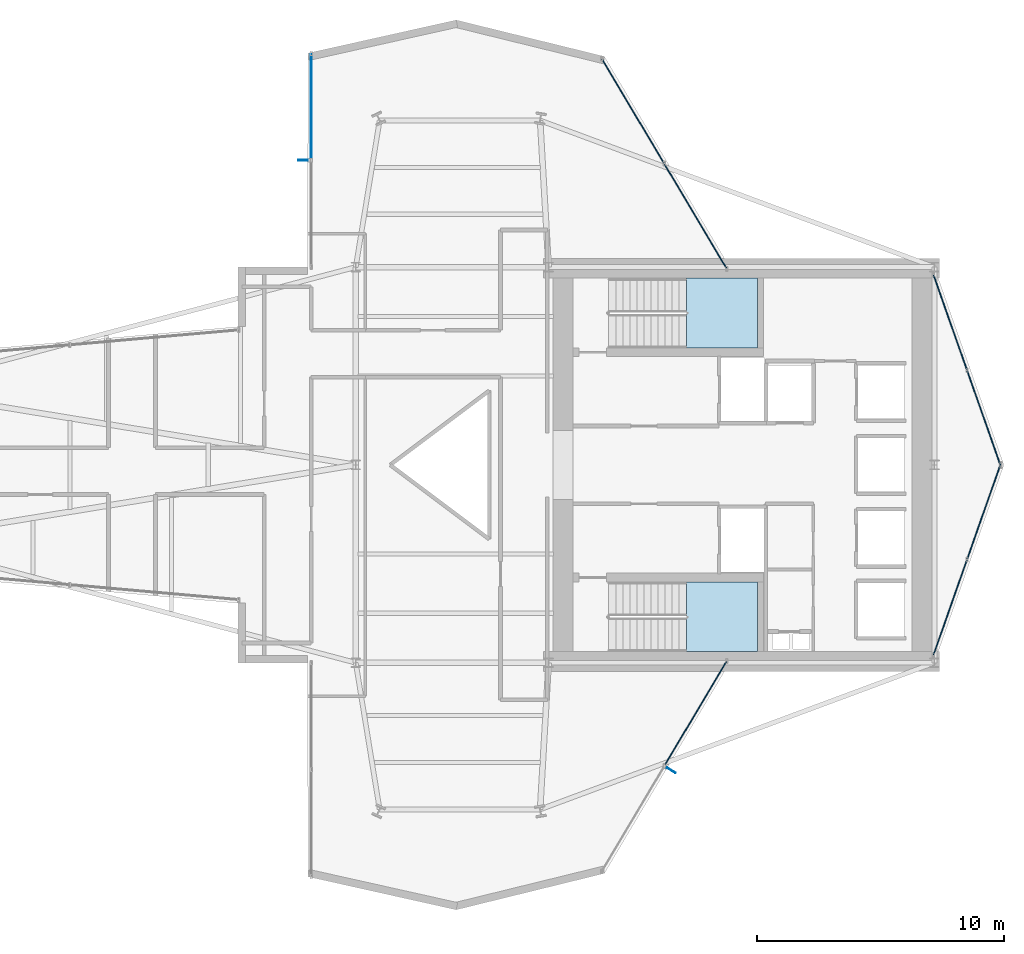
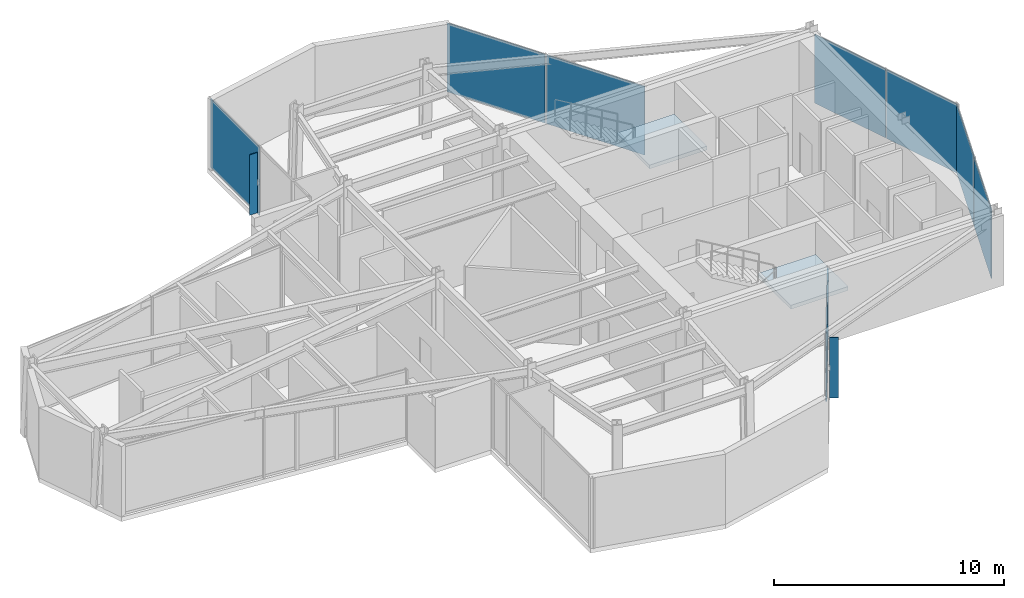
# One storey, part 19 of 23: 10 plates, 2 slabs, 7 elements without a shape of their own.
"""IFC4 building model written with IfcOpenShell, lengths in metres."""

from ifc_helpers import new_model, si_unit, direction, frame, origin, origin_2d, place, context, subcontext, project, spatial, polyline, rectangle, outline, extrude, material, layer, layer_set, type_object, element, aggregate, save


model = new_model("IFC4")

# Units and contexts
model_context = context("Model", 3, precision=1e-05, world=origin(), true_north=direction((0.0, 1.0)))
body_context = subcontext(model_context, "Body", "Model", "MODEL_VIEW")
ifc_project = project(units=[si_unit("LENGTHUNIT", "METRE"), si_unit("AREAUNIT", "SQUARE_METRE"), si_unit("VOLUMEUNIT", "CUBIC_METRE"), si_unit("PLANEANGLEUNIT", "RADIAN"), si_unit("MASSUNIT", "GRAM", prefix="KILO")], contexts=[model_context])

# Site, building, storey
site_placement = place(None, origin())
site = spatial("IfcSite", under=ifc_project, at=site_placement, CompositionType="ELEMENT")
building_placement = place(site_placement, origin())
building = spatial("IfcBuilding", under=site, at=building_placement, Name="Veymaron Broadcast Tower", CompositionType="ELEMENT")
storey_placement = place(building_placement, frame((0.0, 0.0, 177.60009765625)))
storey = spatial("IfcBuildingStorey", under=building, at=storey_placement, Name="L41", CompositionType="ELEMENT", Elevation=177.60009765625)

# Curtain wall, plates
ifc_material_1 = material(Name="Anodised aluminium AA 6063-T6 and laminated low-E dark glass", Category="aluminium")
ifc_layer_1 = layer(ifc_material_1, 0.179931640625)
ifc_layer_set_1 = layer_set([ifc_layer_1], Name="Anodised aluminium AA 6063-T6 and laminated low-E dark glass")
curtain_wall_type = type_object("IfcCurtainWallType", Name="CW-SYS-03", PredefinedType="NOTDEFINED", material=ifc_layer_set_1)
curtain_wall_1_placement = place(storey_placement, origin())
curtain_wall_1 = element("IfcCurtainWall", 1, at=curtain_wall_1_placement, inside=storey, type_object=curtain_wall_type, Name="L41 dark-glass curtain wall CW-L41-E2-1", PredefinedType="NOTDEFINED")
ifc_material_2 = material(Name="Insulated dark-anodised aluminium spandrel panel 40 mm", Category="aluminium")
ifc_layer_2 = layer(ifc_material_2, 0.0400390625)
ifc_layer_set_2 = layer_set([ifc_layer_2], Name="Insulated dark-anodised aluminium spandrel panel 40 mm")
plate_type_1 = type_object("IfcPlateType", Name="CW-PNL-03", PredefinedType="CURTAIN_PANEL", material=ifc_layer_set_2)
plate_1_placement = place(storey_placement, frame((55.23779296875, 18.235107421875, 0.0400390625), z_axis=(0.0, 0.0, 1.0), x_axis=(0.331831864835, 0.943338546589, 0.0)))
plate_1 = element("IfcPlate", 2, at=plate_1_placement, type_object=plate_type_1, Name="CW-L41-E2-1 unitised curtain panel 0", PredefinedType="CURTAIN_PANEL", context=body_context, shape_type="SweptSolid", body=[
    extrude(rectangle(XDim=4.047119140625, YDim=0.0400390625, at=origin_2d()), origin(), (0.0, 0.0, 1.0), 3.64990234375),
])
plate_2_placement = place(storey_placement, frame((56.6005859375, 22.109375, 0.0400390625), z_axis=(0.0, 0.0, 1.0), x_axis=(0.331831864835, 0.943338546589, 0.0)))
plate_2 = element("IfcPlate", 3, at=plate_2_placement, type_object=plate_type_1, Name="CW-L41-E2-1 unitised curtain panel 1", PredefinedType="CURTAIN_PANEL", context=body_context, shape_type="SweptSolid", body=[
    extrude(rectangle(XDim=4.047119140625, YDim=0.0400390625, at=origin_2d()), origin(), (0.0, 0.0, 1.0), 3.64990234375),
])
aggregate(curtain_wall_1, [plate_1, plate_2])

curtain_wall_2_placement = place(storey_placement, origin())
curtain_wall_2 = element("IfcCurtainWall", 4, at=curtain_wall_2_placement, inside=storey, type_object=curtain_wall_type, Name="L41 dark-glass curtain wall CW-L41-E3-1", PredefinedType="NOTDEFINED")
plate_3_placement = place(storey_placement, frame((56.6005859375, 25.890625, 0.0400390625), z_axis=(0.0, 0.0, 1.0), x_axis=(-0.331831864835, 0.943338546589, 0.0)))
plate_3 = element("IfcPlate", 5, at=plate_3_placement, type_object=plate_type_1, Name="CW-L41-E3-1 unitised curtain panel 0", PredefinedType="CURTAIN_PANEL", context=body_context, shape_type="SweptSolid", body=[
    extrude(rectangle(XDim=4.047119140625, YDim=0.0400390625, at=origin_2d()), origin(), (0.0, 0.0, 1.0), 3.64990234375),
])
plate_4_placement = place(storey_placement, frame((55.23779296875, 29.764892578125, 0.0400390625), z_axis=(0.0, 0.0, 1.0), x_axis=(-0.331831864835, 0.943338546589, 0.0)))
plate_4 = element("IfcPlate", 6, at=plate_4_placement, type_object=plate_type_1, Name="CW-L41-E3-1 unitised curtain panel 1", PredefinedType="CURTAIN_PANEL", context=body_context, shape_type="SweptSolid", body=[
    extrude(rectangle(XDim=4.047119140625, YDim=0.0400390625, at=origin_2d()), origin(), (0.0, 0.0, 1.0), 3.64990234375),
])
aggregate(curtain_wall_2, [plate_3, plate_4])

curtain_wall_3_placement = place(storey_placement, origin())
curtain_wall_3 = element("IfcCurtainWall", 7, at=curtain_wall_3_placement, inside=storey, type_object=curtain_wall_type, Name="L41 dark-glass curtain wall CW-L41-E5-1", PredefinedType="NOTDEFINED")
plate_5_placement = place(storey_placement, frame((44.9384765625, 34.055419921875, 0.0400390625), z_axis=(0.0, 0.0, 1.0), x_axis=(-0.511263086823, 0.859424258473, 0.0)))
plate_5 = element("IfcPlate", 8, at=plate_5_placement, type_object=plate_type_1, Name="CW-L41-E5-1 unitised curtain panel 0", PredefinedType="CURTAIN_PANEL", context=body_context, shape_type="SweptSolid", body=[
    extrude(rectangle(XDim=4.889892578125, YDim=0.0400390625, at=origin_2d()), origin(), (0.0, 0.0, 1.0), 3.64990234375),
])
plate_6_placement = place(storey_placement, frame((42.40771484375, 38.309326171875, 0.0400390625), z_axis=(0.0, 0.0, 1.0), x_axis=(-0.511263086823, 0.859424258473, 0.0)))
plate_6 = element("IfcPlate", 9, at=plate_6_placement, type_object=plate_type_1, Name="CW-L41-E5-1 unitised curtain panel 1", PredefinedType="CURTAIN_PANEL", context=body_context, shape_type="SweptSolid", body=[
    extrude(rectangle(XDim=4.889892578125, YDim=0.0400390625, at=origin_2d()), origin(), (0.0, 0.0, 1.0), 3.64990234375),
])
aggregate(curtain_wall_3, [plate_5, plate_6])

# Curtain wall, plate
curtain_wall_4_placement = place(storey_placement, origin())
curtain_wall_4 = element("IfcCurtainWall", 10, at=curtain_wall_4_placement, inside=storey, type_object=curtain_wall_type, Name="L41 dark-glass curtain wall CW-L41-E8-1", PredefinedType="NOTDEFINED")
plate_7_placement = place(storey_placement, frame((29.400146484375, 38.4814453125, 0.0400390625), z_axis=(0.0, 0.0, 1.0), x_axis=(-0.000558505332, -0.999999844036, 0.0)))
plate_7 = element("IfcPlate", 11, at=plate_7_placement, type_object=plate_type_1, Name="CW-L41-E8-1 unitised curtain panel 0", PredefinedType="CURTAIN_PANEL", context=body_context, shape_type="SweptSolid", body=[
    extrude(rectangle(XDim=4.260986328125, YDim=0.0400390625, at=origin_2d()), origin(), (0.0, 0.0, 1.0), 3.64990234375),
])
aggregate(curtain_wall_4, [plate_7])

curtain_wall_5_placement = place(storey_placement, origin())
curtain_wall_5 = element("IfcCurtainWall", 12, at=curtain_wall_5_placement, inside=storey, type_object=curtain_wall_type, Name="L41 dark-glass curtain wall CW-L41-E20-1", PredefinedType="NOTDEFINED")
plate_8_placement = place(storey_placement, frame((44.9384765625, 13.944580078125, 0.0400390625), z_axis=(0.0, 0.0, 1.0), x_axis=(0.511263086823, 0.859424258473, 0.0)))
plate_8 = element("IfcPlate", 13, at=plate_8_placement, type_object=plate_type_1, Name="CW-L41-E20-1 unitised curtain panel 1", PredefinedType="CURTAIN_PANEL", context=body_context, shape_type="SweptSolid", body=[
    extrude(rectangle(XDim=4.889892578125, YDim=0.0400390625, at=origin_2d()), origin(), (0.0, 0.0, 1.0), 3.64990234375),
])
aggregate(curtain_wall_5, [plate_8])

# Plates
ifc_material_3 = material(Name="Dark-anodised aluminium AA 6061-T6", Category="aluminium")
ifc_layer_3 = layer(ifc_material_3, 0.031982421875)
ifc_layer_set_3 = layer_set([ifc_layer_3], Name="Dark-anodised aluminium AA 6061-T6")
plate_type_2 = type_object("IfcPlateType", Name="FIN-CHEV-03", PredefinedType="USERDEFINED", material=ifc_layer_set_3)
for number, where, z_axis, x_axis, name in (
    (14, (29.06884765625, 36.321044921875, 0.26123046875), (0.0, 0.0, 1.0), (-0.999999844036, 0.000558505332, 0.0), "CW-L41-E8-1 chevron fin 1"),
    (15, (43.956787109375, 11.64892578125, 0.26123046875), (0.0, 0.0, 1.0), (0.859424258473, -0.511263086823, 0.0), "CW-L41-E20-1 chevron fin 1"),
):
    element("IfcPlate", number, at=place(storey_placement, frame(where, z_axis=z_axis, x_axis=x_axis)), inside=storey, type_object=plate_type_2, Name=name, ObjectType="FIN", PredefinedType="USERDEFINED", context=body_context, shape_type="SweptSolid", body=[
        extrude(rectangle(XDim=0.39990234375, YDim=0.034912109375, at=origin_2d()), origin(), (0.0, 0.0, 1.0), 3.207763671875),
    ])

# Stair, slab
ifc_material_4 = material(Name="Concrete C50/60", Category="concrete")
stair_type_1 = type_object("IfcStairType", Name="STAIR-CORE-1", PredefinedType="HALF_TURN_STAIR", material=ifc_material_4)
stair_1_placement = place(storey_placement, origin())
stair_1 = element("IfcStair", 16, at=stair_1_placement, inside=storey, type_object=stair_type_1, Name="L41 North protected dog-leg exit stair ST1", PredefinedType="HALF_TURN_STAIR")
ifc_layer_4 = layer(ifc_material_4, 0.199951171875)
ifc_layer_set_4 = layer_set([ifc_layer_4], Name="Concrete C50/60")
slab_type = type_object("IfcSlabType", Name="SLAB-STAIR-LDG", PredefinedType="LANDING", material=ifc_layer_set_4)
slab_1_placement = place(storey_placement, frame((0.0, 0.0, 1.824951171875)))
slab_1 = element("IfcSlab", 17, at=slab_1_placement, type_object=slab_type, Name="ST1 landing 1", PredefinedType="LANDING", context=body_context, shape_type="SweptSolid", body=[
    extrude(outline(polyline([(44.56494140625, 28.72998046875), (47.43994140625, 28.72998046875), (47.43994140625, 31.550048828125), (44.56494140625, 31.550048828125), (44.56494140625, 28.72998046875)])), origin(), (0.0, 0.0, 1.0), 0.199951171875),
])
aggregate(stair_1, [slab_1])

stair_type_2 = type_object("IfcStairType", Name="STAIR-CORE-2", PredefinedType="HALF_TURN_STAIR", material=ifc_material_4)
stair_2_placement = place(storey_placement, origin())
stair_2 = element("IfcStair", 18, at=stair_2_placement, inside=storey, type_object=stair_type_2, Name="L41 South protected dog-leg exit stair ST2", PredefinedType="HALF_TURN_STAIR")
slab_2_placement = place(storey_placement, frame((0.0, 0.0, 1.824951171875)))
slab_2 = element("IfcSlab", 19, at=slab_2_placement, type_object=slab_type, Name="ST2 landing 1", PredefinedType="LANDING", context=body_context, shape_type="SweptSolid", body=[
    extrude(outline(polyline([(44.56494140625, 16.449951171875), (47.43994140625, 16.449951171875), (47.43994140625, 19.27001953125), (44.56494140625, 19.27001953125), (44.56494140625, 16.449951171875)])), origin(), (0.0, 0.0, 1.0), 0.199951171875),
])
aggregate(stair_2, [slab_2])

save(model, "model.ifc")
